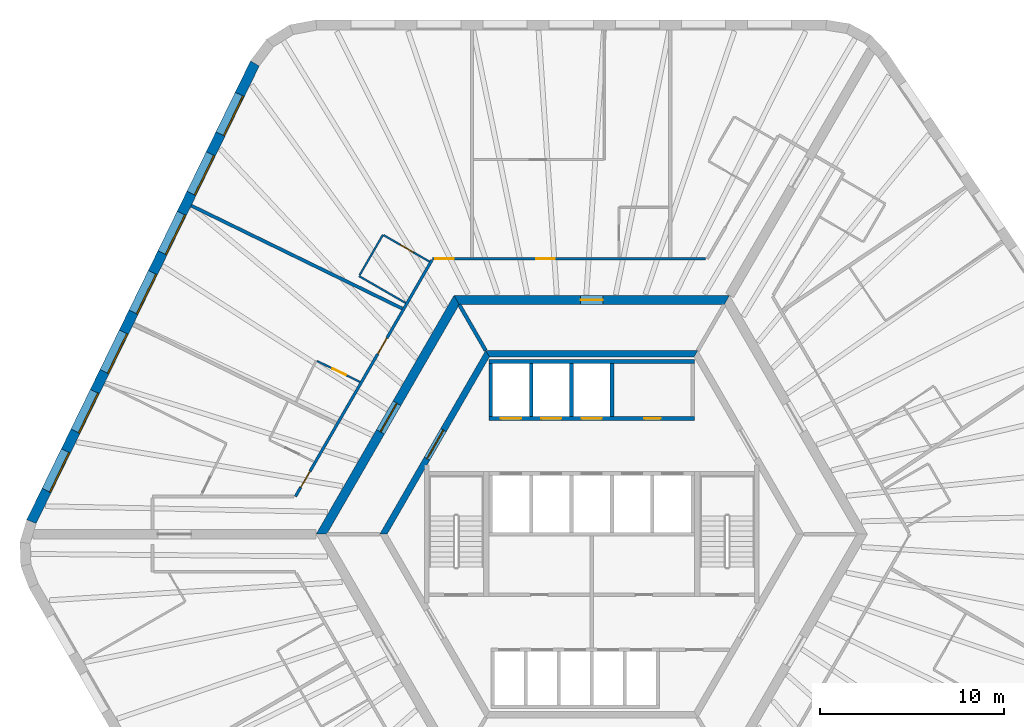
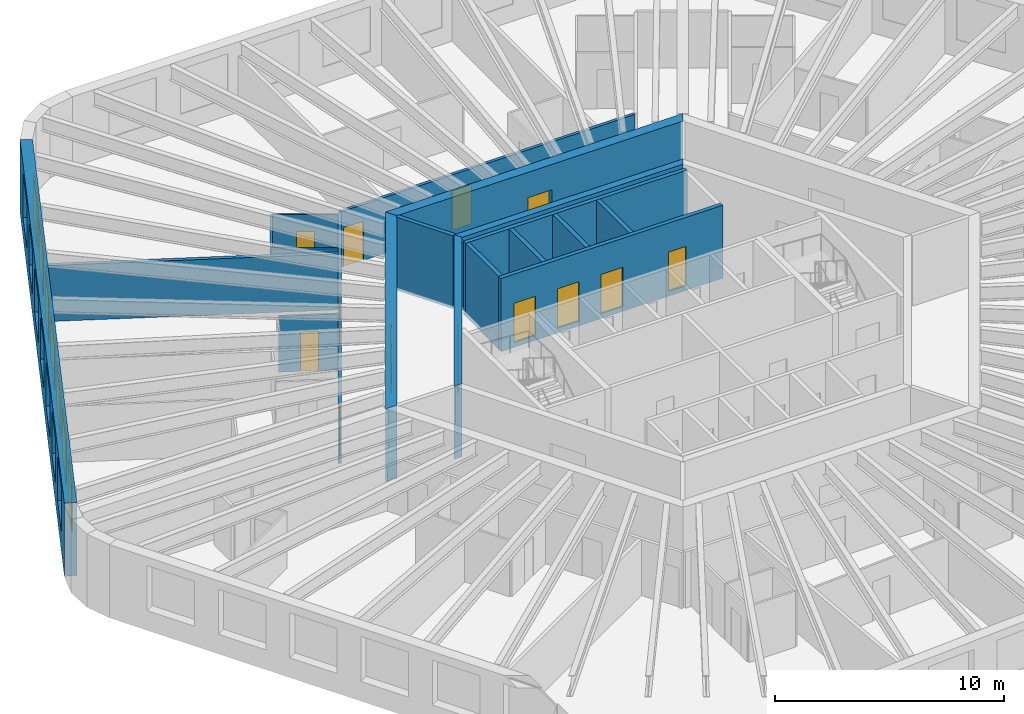
# One storey, part 7 of 10: 19 walls, 13 doors, 7 windows, 20 openings.
"""IFC4 building model written with IfcOpenShell, lengths in metres."""

from ifc_helpers import new_model, si_unit, direction, frame, frame_2d, origin, place, context, subcontext, project, spatial, polyline, rectangle, outline, extrude, material, layer, layer_set, type_object, element, fill, save


model = new_model("IFC4")

# Units and contexts
model_context = context("Model", 3, precision=1e-05, world=origin(), true_north=direction((0.0, 1.0)))
body_context = subcontext(model_context, "Body", "Model", "MODEL_VIEW")
ifc_project = project(units=[si_unit("LENGTHUNIT", "METRE"), si_unit("AREAUNIT", "SQUARE_METRE"), si_unit("VOLUMEUNIT", "CUBIC_METRE"), si_unit("PLANEANGLEUNIT", "RADIAN"), si_unit("MASSUNIT", "GRAM", prefix="KILO")], contexts=[model_context])

# Site, building, storey
site_placement = place(None, origin())
site = spatial("IfcSite", under=ifc_project, at=site_placement, CompositionType="ELEMENT")
building_placement = place(site_placement, origin())
building = spatial("IfcBuilding", under=site, at=building_placement, Name="Tarnside Tower", CompositionType="ELEMENT")
storey_placement = place(building_placement, frame((0.0, 0.0, 187.800048828125)))
storey = spatial("IfcBuildingStorey", under=building, at=storey_placement, Name="L44", CompositionType="ELEMENT", Elevation=187.800048828125)

# Walls
ifc_material_1 = material(Name="Gypsum board partition on steel studs", Category="steel")
ifc_layer_1 = layer(ifc_material_1, 0.10009765625)
ifc_layer_set_1 = layer_set([ifc_layer_1], Name="Bathroom wall 100")
wall_type_1 = type_object("IfcWallType", Name="Bathroom wall 100", PredefinedType="PARTITIONING", material=ifc_layer_set_1)
wall_1_placement = place(storey_placement, frame((-10.137939453125, 12.5908203125, 0.0), z_axis=(0.0, 0.0, 1.0), x_axis=(-0.866025730634, 0.499999433879, 0.0)))
element("IfcWall", 1, at=wall_1_placement, inside=storey, type_object=wall_type_1, Name="Bathroom wall 14064", PredefinedType="PARTITIONING", context=body_context, shape_type="SweptSolid", body=[
    extrude(rectangle(XDim=2.9248046875, YDim=0.10009765625, at=frame_2d((1.46240234375, 0.0))), origin(), (0.0, 0.0, 1.0), 2.98779296875),
])
wall_2_placement = place(storey_placement, frame((-12.64599609375, 14.096435546875, 0.0), z_axis=(0.0, 0.0, 1.0), x_axis=(0.500020783669, 0.866013403995, 0.0)))
element("IfcWall", 2, at=wall_2_placement, inside=storey, type_object=wall_type_1, Name="Bathroom wall 14065", PredefinedType="PARTITIONING", context=body_context, shape_type="SweptSolid", body=[
    extrude(rectangle(XDim=2.55029296875, YDim=0.10009765625, at=frame_2d((1.275146484375, 0.0))), origin(), (0.0, 0.0, 1.0), 2.98779296875),
])

# Wall, opening, door
wall_3_placement = place(storey_placement, frame((-11.32763671875, 16.280029296875, 0.0), z_axis=(0.0, 0.0, 1.0), x_axis=(0.865981939951, -0.500075274012, 0.0)))
wall_3 = element("IfcWall", 3, at=wall_3_placement, inside=storey, type_object=wall_type_1, Name="Bathroom wall 14066", PredefinedType="PARTITIONING", context=body_context, shape_type="SweptSolid", body=[
    extrude(rectangle(XDim=2.875, YDim=0.10009765625, at=frame_2d((1.4375, 0.0))), origin(), (0.0, 0.0, 1.0), 2.98779296875),
])
opening_1_placement = place(wall_3_placement, frame((1.050048828125, 0.0, 0.0)))
opening_1 = element("IfcOpeningElement", 4, at=opening_1_placement, cuts=wall_3, Name="Opening D-B1", PredefinedType="OPENING", context=body_context, shape_type="SweptSolid", body=[
    extrude(rectangle(XDim=0.800048828125, YDim=2.10009765625, at=frame_2d((0.39990234375, 1.050048828125))), frame((0.0, 0.06005859375, 0.0), z_axis=(0.0, -1.0, 0.0), x_axis=(1.0, 0.0, 0.0)), (0.0, 0.0, 1.0), 0.1201171875),
])
ifc_material_2 = material(Name="Timber door leaf", Category="wood")
door_type_1 = type_object("IfcDoorType", Name="Bathroom door 800", OperationType="NOTDEFINED", PredefinedType="DOOR", material=ifc_material_2)
door_1_placement = place(opening_1_placement, origin())
door_1 = element("IfcDoor", 5, at=door_1_placement, inside=storey, type_object=door_type_1, Name="Bathroom door 14007", OperationType="SINGLE_SWING_LEFT", OverallHeight=2.10009765625, OverallWidth=0.800048828125, PredefinedType="DOOR", context=body_context, shape_type="SweptSolid", body=[
    extrude(rectangle(XDim=0.800048828125, YDim=2.10009765625, at=frame_2d((0.39990234375, 1.050048828125))), frame((0.0, 0.02490234375, 0.0), z_axis=(0.0, -1.0, 0.0), x_axis=(1.0, 0.0, 0.0)), (0.0, 0.0, 1.0), 0.050048828125),
])
fill(opening_1, door_1)

wall_4_placement = place(storey_placement, frame((-14.96240234375, 9.431640625, 0.0), z_axis=(0.0, 0.0, 1.0), x_axis=(0.898770247069, -0.438419939081, 0.0)))
wall_4 = element("IfcWall", 6, at=wall_4_placement, inside=storey, type_object=wall_type_1, Name="Bathroom wall 14069", PredefinedType="PARTITIONING", context=body_context, shape_type="SweptSolid", body=[
    extrude(rectangle(XDim=2.60498046875, YDim=0.10009765625, at=frame_2d((1.302490234375, 0.0))), origin(), (0.0, 0.0, 1.0), 2.98779296875),
])
opening_2_placement = place(wall_4_placement, frame((0.949951171875, 0.0, 0.0)))
opening_2 = element("IfcOpeningElement", 7, at=opening_2_placement, cuts=wall_4, Name="Opening D-B1", PredefinedType="OPENING", context=body_context, shape_type="SweptSolid", body=[
    extrude(rectangle(XDim=0.800048828125, YDim=2.10009765625, at=frame_2d((0.39990234375, 1.050048828125))), frame((0.0, 0.06005859375, 0.0), z_axis=(0.0, -1.0, 0.0), x_axis=(1.0, 0.0, 0.0)), (0.0, 0.0, 1.0), 0.1201171875),
])
door_2_placement = place(opening_2_placement, origin())
door_2 = element("IfcDoor", 8, at=door_2_placement, inside=storey, type_object=door_type_1, Name="Bathroom door 14009", OperationType="SINGLE_SWING_LEFT", OverallHeight=2.10009765625, OverallWidth=0.800048828125, PredefinedType="DOOR", context=body_context, shape_type="SweptSolid", body=[
    extrude(rectangle(XDim=0.800048828125, YDim=2.10009765625, at=frame_2d((0.39990234375, 1.050048828125))), frame((0.0, 0.02490234375, 0.0), z_axis=(0.0, -1.0, 0.0), x_axis=(1.0, 0.0, 0.0)), (0.0, 0.0, 1.0), 0.050048828125),
])
fill(opening_2, door_2)

ifc_material_3 = material(Name="Concrete C50/60", Category="concrete")
ifc_layer_2 = layer(ifc_material_3, 0.35009765625)
ifc_layer_set_2 = layer_set([ifc_layer_2], Name="Core block wall 350 C50/60")
wall_type_2 = type_object("IfcWallType", Name="Core block wall 350 C50/60", PredefinedType="SHEAR", material=ifc_layer_set_2)
wall_5_placement = place(storey_placement, frame((-5.672607421875, 9.824951171875, -0.150146484375), z_axis=(0.0, 0.0, 1.0), x_axis=(-0.499995046907, -0.866028263435, 0.0)))
wall_5 = element("IfcWall", 9, at=wall_5_placement, inside=storey, type_object=wall_type_2, Name="L44 core block wall face 2", PredefinedType="SHEAR", context=body_context, shape_type="SweptSolid", body=[
    extrude(outline(polyline([(-0.10107421875, -0.175048828125), (11.44580078125, -0.175048828125), (11.24365234375, 0.175048828125), (0.10107421875, 0.175048828125), (-0.10107421875, -0.175048828125)])), origin(), (0.0, 0.0, 1.0), 3.900146484375),
])
opening_3_placement = place(wall_5_placement, frame((4.80126953125, 0.0, 0.14990234375)))
opening_3 = element("IfcOpeningElement", 10, at=opening_3_placement, cuts=wall_5, Name="Opening CD-LOB", PredefinedType="OPENING", context=body_context, shape_type="SweptSolid", body=[
    extrude(rectangle(XDim=1.800048828125, YDim=2.39990234375, at=frame_2d((0.89990234375, 1.199951171875))), frame((0.0, 0.18505859375, 0.0), z_axis=(0.0, -1.0, 0.0), x_axis=(1.0, 0.0, 0.0)), (0.0, 0.0, 1.0), 0.3701171875),
])
ifc_material_4 = material(Name="Steel fire door", Category="steel")
door_type_2 = type_object("IfcDoorType", Name="Lobby double door FD30S 1800x2400", OperationType="NOTDEFINED", PredefinedType="DOOR", material=ifc_material_4)
door_3_placement = place(opening_3_placement, origin())
door_3 = element("IfcDoor", 11, at=door_3_placement, inside=storey, type_object=door_type_2, Name="L44 lobby block door P1", OperationType="DOUBLE_DOOR_SINGLE_SWING", OverallHeight=2.39990234375, OverallWidth=1.800048828125, PredefinedType="DOOR", context=body_context, shape_type="SweptSolid", body=[
    extrude(rectangle(XDim=1.800048828125, YDim=2.39990234375, at=frame_2d((0.89990234375, 1.199951171875))), frame((0.0, 0.02490234375, 0.0), z_axis=(0.0, -1.0, 0.0), x_axis=(1.0, 0.0, 0.0)), (0.0, 0.0, 1.0), 0.050048828125),
])
fill(opening_3, door_3)

# Wall
wall_6_placement = place(storey_placement, frame((5.672607421875, 9.824951171875, -0.150146484375), z_axis=(0.0, 0.0, 1.0), x_axis=(-1.0, 0.0, 0.0)))
element("IfcWall", 12, at=wall_6_placement, inside=storey, type_object=wall_type_2, Name="L44 core block wall face 1", PredefinedType="SHEAR", context=body_context, shape_type="SweptSolid", body=[
    extrude(outline(polyline([(-0.10107421875, -0.175048828125), (11.4462890625, -0.175048828125), (11.244140625, 0.175048828125), (0.10107421875, 0.175048828125), (-0.10107421875, -0.175048828125)])), origin(), (0.0, 0.0, 1.0), 3.900146484375),
])

# Wall, opening, door
ifc_material_5 = material(Name="Concrete C70/85", Category="concrete")
ifc_layer_3 = layer(ifc_material_5, 0.5)
ifc_layer_set_3 = layer_set([ifc_layer_3], Name="Core wall Z2 500 C70/85")
wall_type_3 = type_object("IfcWallType", Name="Core wall Z2 500 C70/85", PredefinedType="SHEAR", material=ifc_layer_set_3)
wall_7_placement = place(storey_placement, frame((-7.361083984375, 12.75, -0.150146484375), z_axis=(0.0, 0.0, 1.0), x_axis=(-0.50000571537, -0.866022103989, 0.0)))
wall_7 = element("IfcWall", 13, at=wall_7_placement, inside=storey, type_object=wall_type_3, Name="L44 core wall face 2", PredefinedType="SHEAR", context=body_context, shape_type="SweptSolid", body=[
    extrude(outline(polyline([(-0.144287109375, -0.25), (14.86669921875, -0.25), (14.578125, 0.25), (0.144287109375, 0.25), (-0.144287109375, -0.25)])), origin(), (0.0, 0.0, 1.0), 3.900146484375),
])
opening_4_placement = place(wall_7_placement, frame((6.489990234375, 0.0, 0.14990234375)))
opening_4 = element("IfcOpeningElement", 14, at=opening_4_placement, cuts=wall_7, Name="Opening CD-LOB", PredefinedType="OPENING", context=body_context, shape_type="SweptSolid", body=[
    extrude(rectangle(XDim=1.800048828125, YDim=2.39990234375, at=frame_2d((0.89990234375, 1.199951171875))), frame((0.0, 0.260009765625, 0.0), z_axis=(0.0, -1.0, 0.0), x_axis=(1.0, 0.0, 0.0)), (0.0, 0.0, 1.0), 0.52001953125),
])
door_4_placement = place(opening_4_placement, origin())
door_4 = element("IfcDoor", 15, at=door_4_placement, inside=storey, type_object=door_type_2, Name="L44 core door P1", OperationType="DOUBLE_DOOR_SINGLE_SWING", OverallHeight=2.39990234375, OverallWidth=1.800048828125, PredefinedType="DOOR", context=body_context, shape_type="SweptSolid", body=[
    extrude(rectangle(XDim=1.800048828125, YDim=2.39990234375, at=frame_2d((0.89990234375, 1.199951171875))), frame((0.0, 0.02490234375, 0.0), z_axis=(0.0, -1.0, 0.0), x_axis=(1.0, 0.0, 0.0)), (0.0, 0.0, 1.0), 0.050048828125),
])
fill(opening_4, door_4)

wall_8_placement = place(storey_placement, frame((7.361083984375, 12.75, -0.150146484375), z_axis=(0.0, 0.0, 1.0), x_axis=(-1.0, 0.0, 0.0)))
wall_8 = element("IfcWall", 16, at=wall_8_placement, inside=storey, type_object=wall_type_3, Name="L44 core wall face 1", PredefinedType="SHEAR", context=body_context, shape_type="SweptSolid", body=[
    extrude(outline(polyline([(-0.144287109375, -0.25), (14.866455078125, -0.25), (14.577880859375, 0.25), (0.144287109375, 0.25), (-0.144287109375, -0.25)])), origin(), (0.0, 0.0, 1.0), 3.900146484375),
])
opening_5_placement = place(wall_8_placement, frame((6.76123046875, 0.0, 0.14990234375)))
opening_5 = element("IfcOpeningElement", 17, at=opening_5_placement, cuts=wall_8, Name="Opening CD-RSR", PredefinedType="OPENING", context=body_context, shape_type="SweptSolid", body=[
    extrude(rectangle(XDim=1.199951171875, YDim=2.39990234375, at=frame_2d((0.60009765625, 1.199951171875))), frame((0.0, 0.260009765625, 0.0), z_axis=(0.0, -1.0, 0.0), x_axis=(1.0, 0.0, 0.0)), (0.0, 0.0, 1.0), 0.52001953125),
])
door_type_3 = type_object("IfcDoorType", Name="Riser door FD60 1200x2400", OperationType="NOTDEFINED", PredefinedType="DOOR", material=ifc_material_4)
door_5_placement = place(opening_5_placement, origin())
door_5 = element("IfcDoor", 18, at=door_5_placement, inside=storey, type_object=door_type_3, Name="L44 core door S5", OperationType="SINGLE_SWING_LEFT", OverallHeight=2.39990234375, OverallWidth=1.199951171875, PredefinedType="DOOR", context=body_context, shape_type="SweptSolid", body=[
    extrude(rectangle(XDim=1.199951171875, YDim=2.39990234375, at=frame_2d((0.60009765625, 1.199951171875))), frame((0.0, 0.02490234375, 0.0), z_axis=(0.0, -1.0, 0.0), x_axis=(1.0, 0.0, 0.0)), (0.0, 0.0, 1.0), 0.050048828125),
])
fill(opening_5, door_5)

# Wall, openings, doors
ifc_layer_4 = layer(ifc_material_1, 0.14990234375)
ifc_layer_set_4 = layer_set([ifc_layer_4], Name="Corridor wall 150 EI 60")
wall_type_4 = type_object("IfcWallType", Name="Corridor wall 150 EI 60", PredefinedType="PARTITIONING", material=ifc_layer_set_4)
wall_9_placement = place(storey_placement, frame((6.20654296875, 15.0, 0.0), z_axis=(0.0, 0.0, 1.0), x_axis=(-1.0, 0.0, 0.0)))
wall_9 = element("IfcWall", 19, at=wall_9_placement, inside=storey, type_object=wall_type_4, Name="Corridor wall 14002", PredefinedType="PARTITIONING", context=body_context, shape_type="SweptSolid", body=[
    extrude(rectangle(XDim=14.86669921875, YDim=0.14990234375, at=frame_2d((7.433349609375, 0.0))), origin(), (0.0, 0.0, 1.0), 2.98779296875),
])
opening_6_placement = place(wall_9_placement, frame((8.224365234375, 0.0, 0.0)))
opening_6 = element("IfcOpeningElement", 20, at=opening_6_placement, cuts=wall_9, Name="Opening D-E1", PredefinedType="OPENING", context=body_context, shape_type="SweptSolid", body=[
    extrude(rectangle(XDim=1.0, YDim=2.10009765625, at=frame_2d((0.5, 1.050048828125))), frame((0.0, 0.0849609375, 0.0), z_axis=(0.0, -1.0, 0.0), x_axis=(1.0, 0.0, 0.0)), (0.0, 0.0, 1.0), 0.169921875),
])
opening_7_placement = place(wall_9_placement, frame((13.716796875, 0.0, 0.0)))
opening_7 = element("IfcOpeningElement", 21, at=opening_7_placement, cuts=wall_9, Name="Opening D-E1", PredefinedType="OPENING", context=body_context, shape_type="SweptSolid", body=[
    extrude(rectangle(XDim=1.0, YDim=2.10009765625, at=frame_2d((0.5, 1.050048828125))), frame((0.0, 0.0849609375, 0.0), z_axis=(0.0, -1.0, 0.0), x_axis=(1.0, 0.0, 0.0)), (0.0, 0.0, 1.0), 0.169921875),
])
door_type_4 = type_object("IfcDoorType", Name="Unit entrance door 1000 FD30S", OperationType="NOTDEFINED", PredefinedType="DOOR", material=ifc_material_2)
door_6_placement = place(opening_6_placement, origin())
door_6 = element("IfcDoor", 22, at=door_6_placement, inside=storey, type_object=door_type_4, Name="Unit door 14003", OperationType="SINGLE_SWING_RIGHT", OverallHeight=2.10009765625, OverallWidth=1.0, PredefinedType="DOOR", context=body_context, shape_type="SweptSolid", body=[
    extrude(rectangle(XDim=1.0, YDim=2.10009765625, at=frame_2d((0.5, 1.050048828125))), frame((0.0, 0.02490234375, 0.0), z_axis=(0.0, -1.0, 0.0), x_axis=(1.0, 0.0, 0.0)), (0.0, 0.0, 1.0), 0.050048828125),
])
fill(opening_6, door_6)
door_7_placement = place(opening_7_placement, origin())
door_7 = element("IfcDoor", 23, at=door_7_placement, inside=storey, type_object=door_type_4, Name="Unit door 14006", OperationType="SINGLE_SWING_LEFT", OverallHeight=2.10009765625, OverallWidth=1.0, PredefinedType="DOOR", context=body_context, shape_type="SweptSolid", body=[
    extrude(rectangle(XDim=1.0, YDim=2.10009765625, at=frame_2d((0.5, 1.050048828125))), frame((0.0, 0.02490234375, 0.0), z_axis=(0.0, -1.0, 0.0), x_axis=(1.0, 0.0, 0.0)), (0.0, 0.0, 1.0), 0.050048828125),
])
fill(opening_7, door_7)

wall_10_placement = place(storey_placement, frame((-8.70361328125, 14.925048828125, 0.0), z_axis=(0.0, 0.0, 1.0), x_axis=(-0.499998228944, -0.866026426302, 0.0)))
wall_10 = element("IfcWall", 24, at=wall_10_placement, inside=storey, type_object=wall_type_4, Name="Corridor wall 14008", PredefinedType="PARTITIONING", context=body_context, shape_type="SweptSolid", body=[
    extrude(rectangle(XDim=14.86669921875, YDim=0.14990234375, at=frame_2d((7.433349609375, 0.0))), origin(), (0.0, 0.0, 1.0), 2.98779296875),
])
opening_8_placement = place(wall_10_placement, frame((4.900634765625, 0.0, 0.0)))
opening_8 = element("IfcOpeningElement", 25, at=opening_8_placement, cuts=wall_10, Name="Opening D-E1", PredefinedType="OPENING", context=body_context, shape_type="SweptSolid", body=[
    extrude(rectangle(XDim=1.0, YDim=2.10009765625, at=frame_2d((0.5, 1.050048828125))), frame((0.0, 0.0849609375, 0.0), z_axis=(0.0, -1.0, 0.0), x_axis=(1.0, 0.0, 0.0)), (0.0, 0.0, 1.0), 0.169921875),
])
opening_9_placement = place(wall_10_placement, frame((13.28369140625, 0.0, 0.0)))
opening_9 = element("IfcOpeningElement", 26, at=opening_9_placement, cuts=wall_10, Name="Opening D-E1", PredefinedType="OPENING", context=body_context, shape_type="SweptSolid", body=[
    extrude(rectangle(XDim=1.0, YDim=2.10009765625, at=frame_2d((0.5, 1.050048828125))), frame((0.0, 0.0849609375, 0.0), z_axis=(0.0, -1.0, 0.0), x_axis=(1.0, 0.0, 0.0)), (0.0, 0.0, 1.0), 0.169921875),
])
door_8_placement = place(opening_8_placement, origin())
door_8 = element("IfcDoor", 27, at=door_8_placement, inside=storey, type_object=door_type_4, Name="Unit door 14008", OperationType="SINGLE_SWING_RIGHT", OverallHeight=2.10009765625, OverallWidth=1.0, PredefinedType="DOOR", context=body_context, shape_type="SweptSolid", body=[
    extrude(rectangle(XDim=1.0, YDim=2.10009765625, at=frame_2d((0.5, 1.050048828125))), frame((0.0, 0.02490234375, 0.0), z_axis=(0.0, -1.0, 0.0), x_axis=(1.0, 0.0, 0.0)), (0.0, 0.0, 1.0), 0.050048828125),
])
fill(opening_8, door_8)
door_9_placement = place(opening_9_placement, origin())
door_9 = element("IfcDoor", 28, at=door_9_placement, inside=storey, type_object=door_type_4, Name="Unit door 14010", OperationType="SINGLE_SWING_LEFT", OverallHeight=2.10009765625, OverallWidth=1.0, PredefinedType="DOOR", context=body_context, shape_type="SweptSolid", body=[
    extrude(rectangle(XDim=1.0, YDim=2.10009765625, at=frame_2d((0.5, 1.050048828125))), frame((0.0, 0.02490234375, 0.0), z_axis=(0.0, -1.0, 0.0), x_axis=(1.0, 0.0, 0.0)), (0.0, 0.0, 1.0), 0.050048828125),
])
fill(opening_9, door_9)

# Wall
ifc_layer_5 = layer(ifc_material_1, 0.179931640625)
ifc_layer_set_5 = layer_set([ifc_layer_5], Name="Demising wall 180 EI 60")
wall_type_5 = type_object("IfcWallType", Name="Demising wall 180 EI 60", PredefinedType="PARTITIONING", material=ifc_layer_set_5)
wall_11_placement = place(storey_placement, frame((-21.814697265625, 17.8916015625, 0.0), z_axis=(0.0, 0.0, 1.0), x_axis=(0.898799253997, -0.438360469265, 0.0)))
element("IfcWall", 29, at=wall_11_placement, inside=storey, type_object=wall_type_5, Name="Demising wall 14067", PredefinedType="PARTITIONING", context=body_context, shape_type="SweptSolid", body=[
    extrude(rectangle(XDim=12.7939453125, YDim=0.179931640625, at=frame_2d((6.39697265625, 0.0))), origin(), (0.0, 0.0, 1.0), 2.98779296875),
])

# Wall, openings, doors
ifc_material_6 = material(Name="Concrete C40/50", Category="concrete")
ifc_layer_6 = layer(ifc_material_6, 0.199951171875)
ifc_layer_set_6 = layer_set([ifc_layer_6], Name="Lift shaft wall 200 C40/50")
wall_type_6 = type_object("IfcWallType", Name="Lift shaft wall 200 C40/50", PredefinedType="SHEAR", material=ifc_layer_set_6)
wall_12_placement = place(storey_placement, frame((-5.60009765625, 6.300048828125, -0.25), z_axis=(0.0, 0.0, 1.0), x_axis=(1.0, 0.0, 0.0)))
wall_12 = element("IfcWall", 30, at=wall_12_placement, inside=storey, type_object=wall_type_6, Name="L44 lift shaft front wall R1", PredefinedType="SHEAR", context=body_context, shape_type="SweptSolid", body=[
    extrude(rectangle(XDim=11.2001953125, YDim=0.199951171875, at=frame_2d((5.60009765625, 0.0))), origin(), (0.0, 0.0, 1.0), 3.89990234375),
])
opening_10_placement = place(wall_12_placement, frame((8.449951171875, 0.0, 0.25)))
opening_10 = element("IfcOpeningElement", 31, at=opening_10_placement, cuts=wall_12, Name="Opening CD-room", PredefinedType="OPENING", context=body_context, shape_type="SweptSolid", body=[
    extrude(rectangle(XDim=0.89990234375, YDim=2.10009765625, at=frame_2d((0.449951171875, 1.050048828125))), frame((0.0, 0.10986328125, 0.0), z_axis=(0.0, -1.0, 0.0), x_axis=(1.0, 0.0, 0.0)), (0.0, 0.0, 1.0), 0.219970703125),
])
opening_11_placement = place(wall_12_placement, frame((0.64990234375, 0.0, 0.25)))
opening_11 = element("IfcOpeningElement", 32, at=opening_11_placement, cuts=wall_12, Name="Opening LD", PredefinedType="OPENING", context=body_context, shape_type="SweptSolid", body=[
    extrude(rectangle(XDim=1.10009765625, YDim=2.10009765625, at=frame_2d((0.550048828125, 1.050048828125))), frame((0.0, 0.10986328125, 0.0), z_axis=(0.0, -1.0, 0.0), x_axis=(1.0, 0.0, 0.0)), (0.0, 0.0, 1.0), 0.219970703125),
])
opening_12_placement = place(wall_12_placement, frame((2.85009765625, 0.0, 0.25)))
opening_12 = element("IfcOpeningElement", 33, at=opening_12_placement, cuts=wall_12, Name="Opening LD", PredefinedType="OPENING", context=body_context, shape_type="SweptSolid", body=[
    extrude(rectangle(XDim=1.10009765625, YDim=2.10009765625, at=frame_2d((0.550048828125, 1.050048828125))), frame((0.0, 0.10986328125, 0.0), z_axis=(0.0, -1.0, 0.0), x_axis=(1.0, 0.0, 0.0)), (0.0, 0.0, 1.0), 0.219970703125),
])
opening_13_placement = place(wall_12_placement, frame((5.050048828125, 0.0, 0.25)))
opening_13 = element("IfcOpeningElement", 34, at=opening_13_placement, cuts=wall_12, Name="Opening LD", PredefinedType="OPENING", context=body_context, shape_type="SweptSolid", body=[
    extrude(rectangle(XDim=1.10009765625, YDim=2.10009765625, at=frame_2d((0.550048828125, 1.050048828125))), frame((0.0, 0.10986328125, 0.0), z_axis=(0.0, -1.0, 0.0), x_axis=(1.0, 0.0, 0.0)), (0.0, 0.0, 1.0), 0.219970703125),
])
ifc_material_7 = material(Name="Stainless steel", Category="steel")
door_type_5 = type_object("IfcDoorType", Name="Lift landing door 1100x2100", OperationType="NOTDEFINED", PredefinedType="DOOR", material=ifc_material_7)
door_10_placement = place(opening_11_placement, origin())
door_10 = element("IfcDoor", 35, at=door_10_placement, inside=storey, type_object=door_type_5, Name="Mid-rise lift 1 landing door L44", OperationType="SLIDING_TO_LEFT", OverallHeight=2.10009765625, OverallWidth=1.10009765625, PredefinedType="DOOR", context=body_context, shape_type="SweptSolid", body=[
    extrude(rectangle(XDim=1.10009765625, YDim=2.10009765625, at=frame_2d((0.550048828125, 1.050048828125))), frame((0.0, 0.02490234375, 0.0), z_axis=(0.0, -1.0, 0.0), x_axis=(1.0, 0.0, 0.0)), (0.0, 0.0, 1.0), 0.050048828125),
])
fill(opening_11, door_10)
door_11_placement = place(opening_12_placement, origin())
door_11 = element("IfcDoor", 36, at=door_11_placement, inside=storey, type_object=door_type_5, Name="Mid-rise lift 2 landing door L44", OperationType="SLIDING_TO_LEFT", OverallHeight=2.10009765625, OverallWidth=1.10009765625, PredefinedType="DOOR", context=body_context, shape_type="SweptSolid", body=[
    extrude(rectangle(XDim=1.10009765625, YDim=2.10009765625, at=frame_2d((0.550048828125, 1.050048828125))), frame((0.0, 0.02490234375, 0.0), z_axis=(0.0, -1.0, 0.0), x_axis=(1.0, 0.0, 0.0)), (0.0, 0.0, 1.0), 0.050048828125),
])
fill(opening_12, door_11)
door_12_placement = place(opening_13_placement, origin())
door_12 = element("IfcDoor", 37, at=door_12_placement, inside=storey, type_object=door_type_5, Name="Mid-rise lift 3 landing door L44", OperationType="SLIDING_TO_LEFT", OverallHeight=2.10009765625, OverallWidth=1.10009765625, PredefinedType="DOOR", context=body_context, shape_type="SweptSolid", body=[
    extrude(rectangle(XDim=1.10009765625, YDim=2.10009765625, at=frame_2d((0.550048828125, 1.050048828125))), frame((0.0, 0.02490234375, 0.0), z_axis=(0.0, -1.0, 0.0), x_axis=(1.0, 0.0, 0.0)), (0.0, 0.0, 1.0), 0.050048828125),
])
fill(opening_13, door_12)
door_type_6 = type_object("IfcDoorType", Name="Room door FD60 900x2100", OperationType="NOTDEFINED", PredefinedType="DOOR", material=ifc_material_4)
door_13_placement = place(opening_10_placement, origin())
door_13 = element("IfcDoor", 38, at=door_13_placement, inside=storey, type_object=door_type_6, Name="L44 core room door FC1", OperationType="SINGLE_SWING_LEFT", OverallHeight=2.10009765625, OverallWidth=0.89990234375, PredefinedType="DOOR", context=body_context, shape_type="SweptSolid", body=[
    extrude(rectangle(XDim=0.89990234375, YDim=2.10009765625, at=frame_2d((0.449951171875, 1.050048828125))), frame((0.0, 0.02490234375, 0.0), z_axis=(0.0, -1.0, 0.0), x_axis=(1.0, 0.0, 0.0)), (0.0, 0.0, 1.0), 0.050048828125),
])
fill(opening_10, door_13)

# Walls
wall_13_placement = place(storey_placement, frame((-5.60009765625, 9.39990234375, -0.25), z_axis=(0.0, 0.0, 1.0), x_axis=(1.0, 0.0, 0.0)))
element("IfcWall", 39, at=wall_13_placement, inside=storey, type_object=wall_type_6, Name="L44 lift shaft back wall R1", PredefinedType="SHEAR", context=body_context, shape_type="SweptSolid", body=[
    extrude(rectangle(XDim=11.2001953125, YDim=0.199951171875, at=frame_2d((5.60009765625, 0.0))), origin(), (0.0, 0.0, 1.0), 3.89990234375),
])
for number, where, z_axis, x_axis, name in (
    (40, (-5.5, 6.39990234375, -0.25), (0.0, 0.0, 1.0), (0.0, 1.0, 0.0), "L44 lift shaft partition R11"),
    (41, (-3.300048828125, 6.39990234375, -0.25), (0.0, 0.0, 1.0), (0.0, 1.0, 0.0), "L44 lift shaft partition R12"),
    (42, (-1.10009765625, 6.39990234375, -0.25), (0.0, 0.0, 1.0), (0.0, 1.0, 0.0), "L44 lift shaft partition R13"),
    (43, (1.10009765625, 6.39990234375, -0.25), (0.0, 0.0, 1.0), (0.0, 1.0, 0.0), "L44 lift shaft partition R14"),
):
    element("IfcWall", number, at=place(storey_placement, frame(where, z_axis=z_axis, x_axis=x_axis)), inside=storey, type_object=wall_type_6, Name=name, PredefinedType="SHEAR", context=body_context, shape_type="SweptSolid", body=[
        extrude(rectangle(XDim=2.900146484375, YDim=0.199951171875, at=frame_2d((1.4501953125, 0.0))), origin(), (0.0, 0.0, 1.0), 3.89990234375),
    ])
wall_14_placement = place(storey_placement, frame((-5.7734375, 10.0, -0.150146484375), z_axis=(0.0, 0.0, 1.0), x_axis=(-0.499995765644, 0.866027848477, 0.0)))
element("IfcWall", 44, at=wall_14_placement, inside=storey, type_object=wall_type_6, Name="L44 core partition AR120", PredefinedType="SHEAR", context=body_context, shape_type="SweptSolid", body=[
    extrude(rectangle(XDim=2.88671875, YDim=0.199951171875, at=frame_2d((1.443359375, 0.0))), origin(), (0.0, 0.0, 1.0), 3.900146484375),
])

# Wall, openings, windows
ifc_material_8 = material(Name="Facing brick", Category="masonry")
ifc_layer_7 = layer(ifc_material_8, 0.10205078125)
ifc_material_9 = material(Name="Concrete C60/75 precast", Category="concrete")
ifc_layer_8 = layer(ifc_material_9, 0.347900390625)
ifc_material_10 = material(Name="Mineral wool insulation")
ifc_layer_9 = layer(ifc_material_10, 0.10009765625)
ifc_layer_set_7 = layer_set([ifc_layer_7, ifc_layer_8, ifc_layer_9], Name="Tube wall 550 brick faced")
wall_type_7 = type_object("IfcWallType", Name="Tube wall 550 brick faced", PredefinedType="SOLIDWALL", material=ifc_layer_set_7)
wall_15_placement = place(storey_placement, frame((-18.344970703125, 25.6328125, -0.150146484375), z_axis=(0.0, 0.0, 1.0), x_axis=(-0.43837181828, -0.898793718791, 0.0)))
wall_15 = element("IfcWall", 45, at=wall_15_placement, inside=storey, type_object=wall_type_7, Name="Tube wall L44 F2 flush 04", PredefinedType="SOLIDWALL", context=body_context, shape_type="SweptSolid", body=[
    extrude(outline(polyline([(-0.025634765625, -0.27490234375), (27.7802734375, -0.27490234375), (27.7353515625, 0.27490234375), (0.025634765625, 0.27490234375), (-0.025634765625, -0.27490234375)])), origin(), (0.0, 0.0, 1.0), 3.900146484375),
])
opening_14_placement = place(wall_15_placement, frame((1.87890625, 0.0, 1.050048828125)))
opening_14 = element("IfcOpeningElement", 46, at=opening_14_placement, cuts=wall_15, Name="Opening WH", PredefinedType="OPENING", context=body_context, shape_type="SweptSolid", body=[
    extrude(rectangle(XDim=2.39990234375, YDim=2.39990234375, at=frame_2d((1.199951171875, 1.199951171875))), frame((0.0, 0.28515625, 0.0), z_axis=(0.0, -1.0, 0.0), x_axis=(1.0, 0.0, 0.0)), (0.0, 0.0, 1.0), 0.570068359375),
])
opening_15_placement = place(wall_15_placement, frame((5.47900390625, 0.0, 1.050048828125)))
opening_15 = element("IfcOpeningElement", 47, at=opening_15_placement, cuts=wall_15, Name="Opening WH", PredefinedType="OPENING", context=body_context, shape_type="SweptSolid", body=[
    extrude(rectangle(XDim=2.39990234375, YDim=2.39990234375, at=frame_2d((1.199951171875, 1.199951171875))), frame((0.0, 0.28515625, 0.0), z_axis=(0.0, -1.0, 0.0), x_axis=(1.0, 0.0, 0.0)), (0.0, 0.0, 1.0), 0.570068359375),
])
opening_16_placement = place(wall_15_placement, frame((9.078857421875, 0.0, 1.050048828125)))
opening_16 = element("IfcOpeningElement", 48, at=opening_16_placement, cuts=wall_15, Name="Opening WH", PredefinedType="OPENING", context=body_context, shape_type="SweptSolid", body=[
    extrude(rectangle(XDim=2.39990234375, YDim=2.39990234375, at=frame_2d((1.199951171875, 1.199951171875))), frame((0.0, 0.28515625, 0.0), z_axis=(0.0, -1.0, 0.0), x_axis=(1.0, 0.0, 0.0)), (0.0, 0.0, 1.0), 0.570068359375),
])
opening_17_placement = place(wall_15_placement, frame((12.678955078125, 0.0, 1.050048828125)))
opening_17 = element("IfcOpeningElement", 49, at=opening_17_placement, cuts=wall_15, Name="Opening WH", PredefinedType="OPENING", context=body_context, shape_type="SweptSolid", body=[
    extrude(rectangle(XDim=2.39990234375, YDim=2.39990234375, at=frame_2d((1.199951171875, 1.199951171875))), frame((0.0, 0.28515625, 0.0), z_axis=(0.0, -1.0, 0.0), x_axis=(1.0, 0.0, 0.0)), (0.0, 0.0, 1.0), 0.570068359375),
])
opening_18_placement = place(wall_15_placement, frame((16.27880859375, 0.0, 1.050048828125)))
opening_18 = element("IfcOpeningElement", 50, at=opening_18_placement, cuts=wall_15, Name="Opening WH", PredefinedType="OPENING", context=body_context, shape_type="SweptSolid", body=[
    extrude(rectangle(XDim=2.39990234375, YDim=2.39990234375, at=frame_2d((1.199951171875, 1.199951171875))), frame((0.0, 0.28515625, 0.0), z_axis=(0.0, -1.0, 0.0), x_axis=(1.0, 0.0, 0.0)), (0.0, 0.0, 1.0), 0.570068359375),
])
opening_19_placement = place(wall_15_placement, frame((19.87890625, 0.0, 1.050048828125)))
opening_19 = element("IfcOpeningElement", 51, at=opening_19_placement, cuts=wall_15, Name="Opening WH", PredefinedType="OPENING", context=body_context, shape_type="SweptSolid", body=[
    extrude(rectangle(XDim=2.39990234375, YDim=2.39990234375, at=frame_2d((1.199951171875, 1.199951171875))), frame((0.0, 0.28515625, 0.0), z_axis=(0.0, -1.0, 0.0), x_axis=(1.0, 0.0, 0.0)), (0.0, 0.0, 1.0), 0.570068359375),
])
opening_20_placement = place(wall_15_placement, frame((23.47900390625, 0.0, 1.050048828125)))
opening_20 = element("IfcOpeningElement", 52, at=opening_20_placement, cuts=wall_15, Name="Opening WH", PredefinedType="OPENING", context=body_context, shape_type="SweptSolid", body=[
    extrude(rectangle(XDim=2.39990234375, YDim=2.39990234375, at=frame_2d((1.199951171875, 1.199951171875))), frame((0.0, 0.28515625, 0.0), z_axis=(0.0, -1.0, 0.0), x_axis=(1.0, 0.0, 0.0)), (0.0, 0.0, 1.0), 0.570068359375),
])
ifc_material_11 = material(Name="Aluminium-framed double glazing", Category="aluminium")
window_type = type_object("IfcWindowType", Name="Hotel window 2400 x 2400", PartitioningType="DOUBLE_PANEL_VERTICAL", PredefinedType="WINDOW", material=ifc_material_11)
window_1_placement = place(opening_14_placement, frame((0.0, 0.205078125, 0.0)))
window_1 = element("IfcWindow", 53, at=window_1_placement, inside=storey, type_object=window_type, Name="E.WN.L44.F2.00", OverallHeight=2.39990234375, OverallWidth=2.39990234375, PartitioningType="DOUBLE_PANEL_VERTICAL", PredefinedType="WINDOW", context=body_context, shape_type="SweptSolid", body=[
    extrude(rectangle(XDim=2.39990234375, YDim=2.39990234375, at=frame_2d((1.199951171875, 1.199951171875))), frame((0.0, 0.030029296875, 0.0), z_axis=(0.0, -1.0, 0.0), x_axis=(1.0, 0.0, 0.0)), (0.0, 0.0, 1.0), 0.06005859375),
])
fill(opening_14, window_1)
window_2_placement = place(opening_15_placement, frame((0.0, 0.205078125, 0.0)))
window_2 = element("IfcWindow", 54, at=window_2_placement, inside=storey, type_object=window_type, Name="E.WN.L44.F2.01", OverallHeight=2.39990234375, OverallWidth=2.39990234375, PartitioningType="DOUBLE_PANEL_VERTICAL", PredefinedType="WINDOW", context=body_context, shape_type="SweptSolid", body=[
    extrude(rectangle(XDim=2.39990234375, YDim=2.39990234375, at=frame_2d((1.199951171875, 1.199951171875))), frame((0.0, 0.030029296875, 0.0), z_axis=(0.0, -1.0, 0.0), x_axis=(1.0, 0.0, 0.0)), (0.0, 0.0, 1.0), 0.06005859375),
])
fill(opening_15, window_2)
window_3_placement = place(opening_16_placement, frame((0.0, 0.205078125, 0.0)))
window_3 = element("IfcWindow", 55, at=window_3_placement, inside=storey, type_object=window_type, Name="E.WN.L44.F2.02", OverallHeight=2.39990234375, OverallWidth=2.39990234375, PartitioningType="DOUBLE_PANEL_VERTICAL", PredefinedType="WINDOW", context=body_context, shape_type="SweptSolid", body=[
    extrude(rectangle(XDim=2.39990234375, YDim=2.39990234375, at=frame_2d((1.199951171875, 1.199951171875))), frame((0.0, 0.030029296875, 0.0), z_axis=(0.0, -1.0, 0.0), x_axis=(1.0, 0.0, 0.0)), (0.0, 0.0, 1.0), 0.06005859375),
])
fill(opening_16, window_3)
window_4_placement = place(opening_17_placement, frame((0.0, 0.205078125, 0.0)))
window_4 = element("IfcWindow", 56, at=window_4_placement, inside=storey, type_object=window_type, Name="E.WN.L44.F2.03", OverallHeight=2.39990234375, OverallWidth=2.39990234375, PartitioningType="DOUBLE_PANEL_VERTICAL", PredefinedType="WINDOW", context=body_context, shape_type="SweptSolid", body=[
    extrude(rectangle(XDim=2.39990234375, YDim=2.39990234375, at=frame_2d((1.199951171875, 1.199951171875))), frame((0.0, 0.030029296875, 0.0), z_axis=(0.0, -1.0, 0.0), x_axis=(1.0, 0.0, 0.0)), (0.0, 0.0, 1.0), 0.06005859375),
])
fill(opening_17, window_4)
window_5_placement = place(opening_18_placement, frame((0.0, 0.205078125, 0.0)))
window_5 = element("IfcWindow", 57, at=window_5_placement, inside=storey, type_object=window_type, Name="E.WN.L44.F2.04", OverallHeight=2.39990234375, OverallWidth=2.39990234375, PartitioningType="DOUBLE_PANEL_VERTICAL", PredefinedType="WINDOW", context=body_context, shape_type="SweptSolid", body=[
    extrude(rectangle(XDim=2.39990234375, YDim=2.39990234375, at=frame_2d((1.199951171875, 1.199951171875))), frame((0.0, 0.030029296875, 0.0), z_axis=(0.0, -1.0, 0.0), x_axis=(1.0, 0.0, 0.0)), (0.0, 0.0, 1.0), 0.06005859375),
])
fill(opening_18, window_5)
window_6_placement = place(opening_19_placement, frame((0.0, 0.205078125, 0.0)))
window_6 = element("IfcWindow", 58, at=window_6_placement, inside=storey, type_object=window_type, Name="E.WN.L44.F2.05", OverallHeight=2.39990234375, OverallWidth=2.39990234375, PartitioningType="DOUBLE_PANEL_VERTICAL", PredefinedType="WINDOW", context=body_context, shape_type="SweptSolid", body=[
    extrude(rectangle(XDim=2.39990234375, YDim=2.39990234375, at=frame_2d((1.199951171875, 1.199951171875))), frame((0.0, 0.030029296875, 0.0), z_axis=(0.0, -1.0, 0.0), x_axis=(1.0, 0.0, 0.0)), (0.0, 0.0, 1.0), 0.06005859375),
])
fill(opening_19, window_6)
window_7_placement = place(opening_20_placement, frame((0.0, 0.205078125, 0.0)))
window_7 = element("IfcWindow", 59, at=window_7_placement, inside=storey, type_object=window_type, Name="E.WN.L44.F2.06", OverallHeight=2.39990234375, OverallWidth=2.39990234375, PartitioningType="DOUBLE_PANEL_VERTICAL", PredefinedType="WINDOW", context=body_context, shape_type="SweptSolid", body=[
    extrude(rectangle(XDim=2.39990234375, YDim=2.39990234375, at=frame_2d((1.199951171875, 1.199951171875))), frame((0.0, 0.030029296875, 0.0), z_axis=(0.0, -1.0, 0.0), x_axis=(1.0, 0.0, 0.0)), (0.0, 0.0, 1.0), 0.06005859375),
])
fill(opening_20, window_7)

save(model, "model.ifc")
